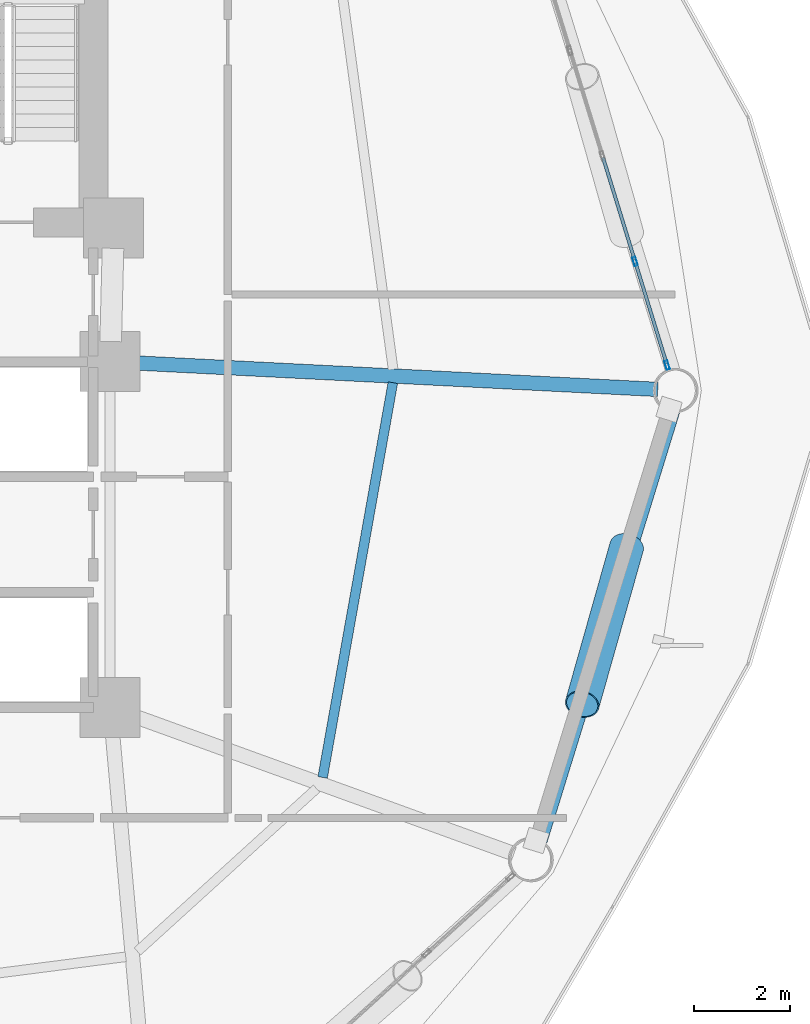
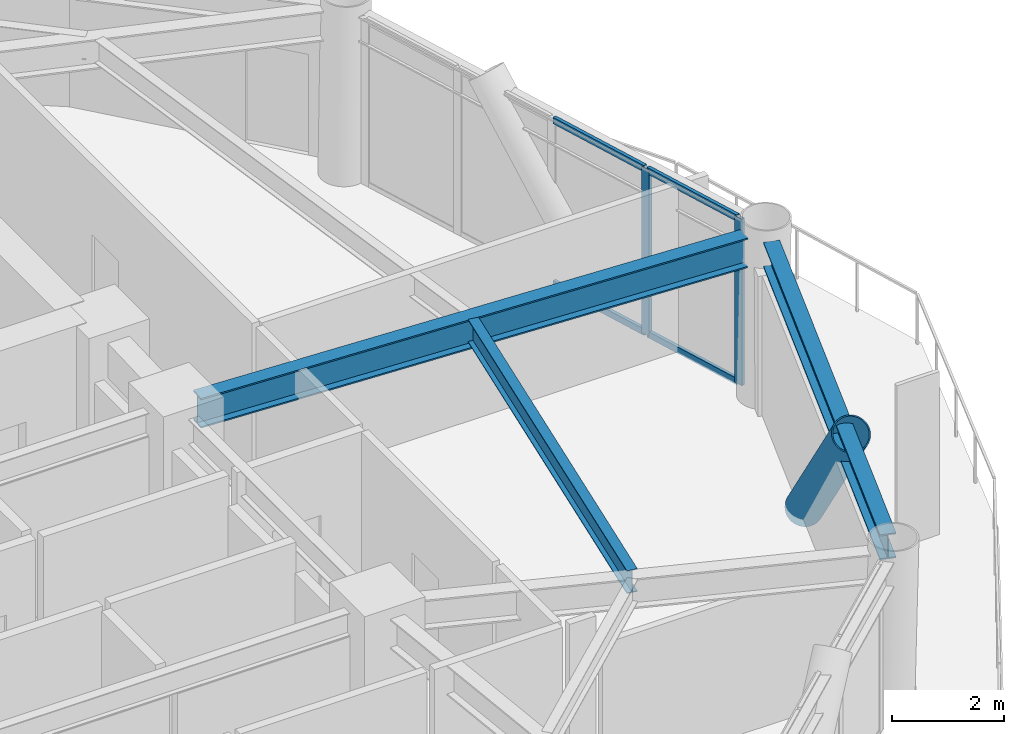
# One storey, part 12 of 22: 7 members, 3 beams, 1 element without a shape of its own.
"""IFC4 building model written with IfcOpenShell, lengths in metres."""

from ifc_helpers import new_model, si_unit, direction, frame, origin, origin_2d, place, context, subcontext, project, spatial, hollow_rectangle, hollow_circle, i_section, extrude, material, layer, layer_set, material_profile, profile_set, type_object, element, aggregate, save


model = new_model("IFC4")

# Units and contexts
model_context = context("Model", 3, precision=1e-05, world=origin(), true_north=direction((0.0, 1.0)))
body_context = subcontext(model_context, "Body", "Model", "MODEL_VIEW")
ifc_project = project(units=[si_unit("LENGTHUNIT", "METRE"), si_unit("AREAUNIT", "SQUARE_METRE"), si_unit("VOLUMEUNIT", "CUBIC_METRE"), si_unit("PLANEANGLEUNIT", "RADIAN"), si_unit("MASSUNIT", "GRAM", prefix="KILO")], contexts=[model_context])

# Site, building, storey
site_placement = place(None, origin())
site = spatial("IfcSite", under=ifc_project, at=site_placement, CompositionType="ELEMENT")
building_placement = place(site_placement, origin())
building = spatial("IfcBuilding", under=site, at=building_placement, Name="Varnakorn Sky Granary", CompositionType="ELEMENT")
storey_placement = place(building_placement, frame((0.0, 0.0, 66.60009765625)))
storey = spatial("IfcBuildingStorey", under=building, at=storey_placement, Name="L16", CompositionType="ELEMENT", Elevation=66.60009765625)

# Beams
ifc_material_1 = material(Name="Steel S355JR", Category="steel")
ifc_material_profile_1 = material_profile(ifc_material_1, i_section(OverallWidth=0.300048828125, OverallDepth=0.64990234375, WebThickness=0.01611328125, FlangeThickness=0.031005859375, at=origin_2d()), Name="HE 650 B")
ifc_profile_set_1 = profile_set([ifc_material_profile_1], Name="Steel S355JR")
beam_type_1 = type_object("IfcBeamType", Name="BM-RAD-Z1", PredefinedType="BEAM", material=ifc_profile_set_1)
beam_1_placement = place(storey_placement, frame((8.76953125, 0.578857421875, 3.31494140625), z_axis=(0.998719293365, -0.050594199871, 0.0), x_axis=(0.050594199871, 0.998719293365, 0.0)))
element("IfcBeam", 1, at=beam_1_placement, inside=storey, type_object=beam_type_1, Name="Radial Floor Girder RG01 L16", PredefinedType="BEAM", context=body_context, shape_type="SweptSolid", body=[
    extrude(i_section(OverallWidth=0.300048828125, OverallDepth=0.64990234375, WebThickness=0.01611328125, FlangeThickness=0.031005859375, at=origin_2d()), origin(), (0.0, 0.0, 1.0), 10.997314453125),
])
ifc_material_profile_2 = material_profile(ifc_material_1, i_section(OverallWidth=0.199951171875, OverallDepth=0.5, WebThickness=0.01025390625, FlangeThickness=0.01611328125, at=origin_2d()), Name="IPE 500")
ifc_profile_set_2 = profile_set([ifc_material_profile_2], Name="Steel S355JR")
beam_type_2 = type_object("IfcBeamType", Name="BM-SEC-Z1", PredefinedType="BEAM", material=ifc_profile_set_2)
beam_2_placement = place(storey_placement, frame((12.7744140625, -8.056884765625, 3.389892578125), z_axis=(0.175134752473, 0.984544472574, 0.0), x_axis=(-0.984544472574, 0.175134752473, 0.0)))
element("IfcBeam", 2, at=beam_2_placement, inside=storey, type_object=beam_type_2, Name="Secondary Floor Chord Beam MSB12 L16", PredefinedType="BEAM", context=body_context, shape_type="SweptSolid", body=[
    extrude(i_section(OverallWidth=0.199951171875, OverallDepth=0.5, WebThickness=0.01025390625, FlangeThickness=0.01611328125, at=origin_2d()), origin(), (0.0, 0.0, 1.0), 8.348876953125),
])
ifc_material_profile_3 = material_profile(ifc_material_1, i_section(OverallWidth=0.300048828125, OverallDepth=0.550048828125, WebThickness=0.014892578125, FlangeThickness=0.029052734375, at=origin_2d()), Name="HE 550 B")
ifc_profile_set_3 = profile_set([ifc_material_profile_3], Name="Steel S355JR")
beam_type_3 = type_object("IfcBeamType", Name="BM-SPD-Z1", PredefinedType="SPANDREL", material=ifc_profile_set_3)
beam_3_placement = place(storey_placement, frame((17.30078125, -9.374755859375, 3.364990234375), z_axis=(0.29490058875, 0.955527939285, 0.0), x_axis=(-0.955527939285, 0.29490058875, 0.0)))
element("IfcBeam", 3, at=beam_3_placement, inside=storey, type_object=beam_type_3, Name="Perimeter Spandrel Ring Beam RB12 L16", PredefinedType="SPANDREL", context=body_context, shape_type="SweptSolid", body=[
    extrude(i_section(OverallWidth=0.300048828125, OverallDepth=0.550048828125, WebThickness=0.014892578125, FlangeThickness=0.029052734375, at=origin_2d()), origin(), (0.0, 0.0, 1.0), 9.369140625),
])

# Curtain wall, members
ifc_material_2 = material(Name="Anodised Bronze Aluminium Alloy 6063-T6", Category="aluminium")
ifc_layer = layer(ifc_material_2, 0.18994140625, Name="Anodised Bronze Aluminium Alloy 6063-T6")
ifc_layer_set = layer_set([ifc_layer], Name="Anodised Bronze Aluminium Alloy 6063-T6")
curtain_wall_type = type_object("IfcCurtainWallType", Name="CW-FRM-1", PredefinedType="USERDEFINED", material=ifc_layer_set)
curtain_wall_placement = place(storey_placement, origin())
curtain_wall = element("IfcCurtainWall", 4, at=curtain_wall_placement, inside=storey, type_object=curtain_wall_type, Name="Unitised Curtain Wall CW3 CW-L16-B01", ObjectType="CURTAIN WALL", PredefinedType="USERDEFINED")
ifc_material_profile_4 = material_profile(ifc_material_2, hollow_rectangle(XDim=0.070068359375, YDim=0.18505859375, WallThickness=0.00390625, at=origin_2d()), Name="ALU MULL 70x185")
ifc_profile_set_4 = profile_set([ifc_material_profile_4], Name="Anodised Bronze Aluminium Alloy 6063-T6")
member_type_1 = type_object("IfcMemberType", Name="CW-FRM-1-MULL", PredefinedType="MULLION", material=ifc_profile_set_4)
member_1_placement = place(storey_placement, frame((19.27978515625, 2.68798828125, 0.0), z_axis=(0.0, 0.0, 1.0), x_axis=(0.955563090917, 0.2947866674, 0.0)))
member_1 = element("IfcMember", 5, at=member_1_placement, type_object=member_type_1, Name="CW3 mullion 4", PredefinedType="MULLION", context=body_context, shape_type="SweptSolid", body=[
    extrude(hollow_rectangle(XDim=0.070068359375, YDim=0.18505859375, WallThickness=0.00390625, at=origin_2d()), origin(), (0.0, 0.0, 1.0), 3.639892578125),
])
member_2_placement = place(storey_placement, frame((19.9462890625, 0.52734375, 0.0), z_axis=(0.0, 0.0, 1.0), x_axis=(0.955563090917, 0.2947866674, 0.0)))
member_2 = element("IfcMember", 6, at=member_2_placement, type_object=member_type_1, Name="CW3 mullion 5", PredefinedType="MULLION", context=body_context, shape_type="SweptSolid", body=[
    extrude(hollow_rectangle(XDim=0.070068359375, YDim=0.18505859375, WallThickness=0.00390625, at=origin_2d()), origin(), (0.0, 0.0, 1.0), 3.639892578125),
])
ifc_material_profile_5 = material_profile(ifc_material_2, hollow_rectangle(XDim=0.070068359375, YDim=0.139892578125, WallThickness=0.00341796875, at=origin_2d()), Name="ALU TRAN 70x140")
ifc_profile_set_5 = profile_set([ifc_material_profile_5], Name="Anodised Bronze Aluminium Alloy 6063-T6")
member_type_2 = type_object("IfcMemberType", Name="CW-FRM-1-TRAN", PredefinedType="USERDEFINED", material=ifc_profile_set_5)
member_3_placement = place(storey_placement, frame((18.61328125, 4.848388671875, 0.034912109375), z_axis=(0.294825670699, -0.955551057713, 0.0), x_axis=(0.955551057713, 0.294825670699, 0.0)))
member_3 = element("IfcMember", 7, at=member_3_placement, type_object=member_type_2, Name="CW3 transom 3.1", ObjectType="TRANSOM", PredefinedType="USERDEFINED", context=body_context, shape_type="SweptSolid", body=[
    extrude(hollow_rectangle(XDim=0.070068359375, YDim=0.139892578125, WallThickness=0.00341796875, at=origin_2d()), origin(), (0.0, 0.0, 1.0), 2.225830078125),
])
member_4_placement = place(storey_placement, frame((18.61328125, 4.848388671875, 3.60498046875), z_axis=(0.294825670699, -0.955551057713, 0.0), x_axis=(0.955551057713, 0.294825670699, 0.0)))
member_4 = element("IfcMember", 8, at=member_4_placement, type_object=member_type_2, Name="CW3 transom 3.2", ObjectType="TRANSOM", PredefinedType="USERDEFINED", context=body_context, shape_type="SweptSolid", body=[
    extrude(hollow_rectangle(XDim=0.070068359375, YDim=0.139892578125, WallThickness=0.00341796875, at=origin_2d()), origin(), (0.0, 0.0, 1.0), 2.225830078125),
])
member_5_placement = place(storey_placement, frame((19.2900390625, 2.654541015625, 0.034912109375), z_axis=(0.294821746969, -0.955552268332, 0.0), x_axis=(0.955552268332, 0.294821746969, 0.0)))
member_5 = element("IfcMember", 9, at=member_5_placement, type_object=member_type_2, Name="CW3 transom 4.1", ObjectType="TRANSOM", PredefinedType="USERDEFINED", context=body_context, shape_type="SweptSolid", body=[
    extrude(hollow_rectangle(XDim=0.070068359375, YDim=0.139892578125, WallThickness=0.00341796875, at=origin_2d()), origin(), (0.0, 0.0, 1.0), 2.191162109375),
])
member_6_placement = place(storey_placement, frame((19.2900390625, 2.654541015625, 3.60498046875), z_axis=(0.294821746969, -0.955552268332, 0.0), x_axis=(0.955552268332, 0.294821746969, 0.0)))
member_6 = element("IfcMember", 10, at=member_6_placement, type_object=member_type_2, Name="CW3 transom 4.2", ObjectType="TRANSOM", PredefinedType="USERDEFINED", context=body_context, shape_type="SweptSolid", body=[
    extrude(hollow_rectangle(XDim=0.070068359375, YDim=0.139892578125, WallThickness=0.00341796875, at=origin_2d()), origin(), (0.0, 0.0, 1.0), 2.191162109375),
])
aggregate(curtain_wall, [member_1, member_2, member_3, member_4, member_5, member_6])

# Member
ifc_material_3 = material(Name="Steel S460M", Category="steel")
ifc_material_profile_6 = material_profile(ifc_material_3, hollow_circle(Radius=0.35546875, WallThickness=0.02490234375, at=origin_2d()), Name="CHS 711x25")
ifc_profile_set_6 = profile_set([ifc_material_profile_6], Name="Steel S460M")
member_type_3 = type_object("IfcMemberType", Name="MB-DIAG-T0", PredefinedType="BRACE", material=ifc_profile_set_6)
member_7_placement = place(storey_placement, frame((19.10498046875, -3.25439453125, -0.130126953125), z_axis=(-0.178433258049, -0.631075412261, 0.754920788203), x_axis=(0.962275133016, -0.272078239443, 0.0)))
element("IfcMember", 11, at=member_7_placement, inside=storey, type_object=member_type_3, Name="Perimeter CHS Diagrid Brace DG12 L16", PredefinedType="BRACE", context=body_context, shape_type="SweptSolid", body=[
    extrude(hollow_circle(Radius=0.35546875, WallThickness=0.02490234375, at=origin_2d()), origin(), (0.0, 0.0, 1.0), 5.1923828125),
])

save(model, "model.ifc")
